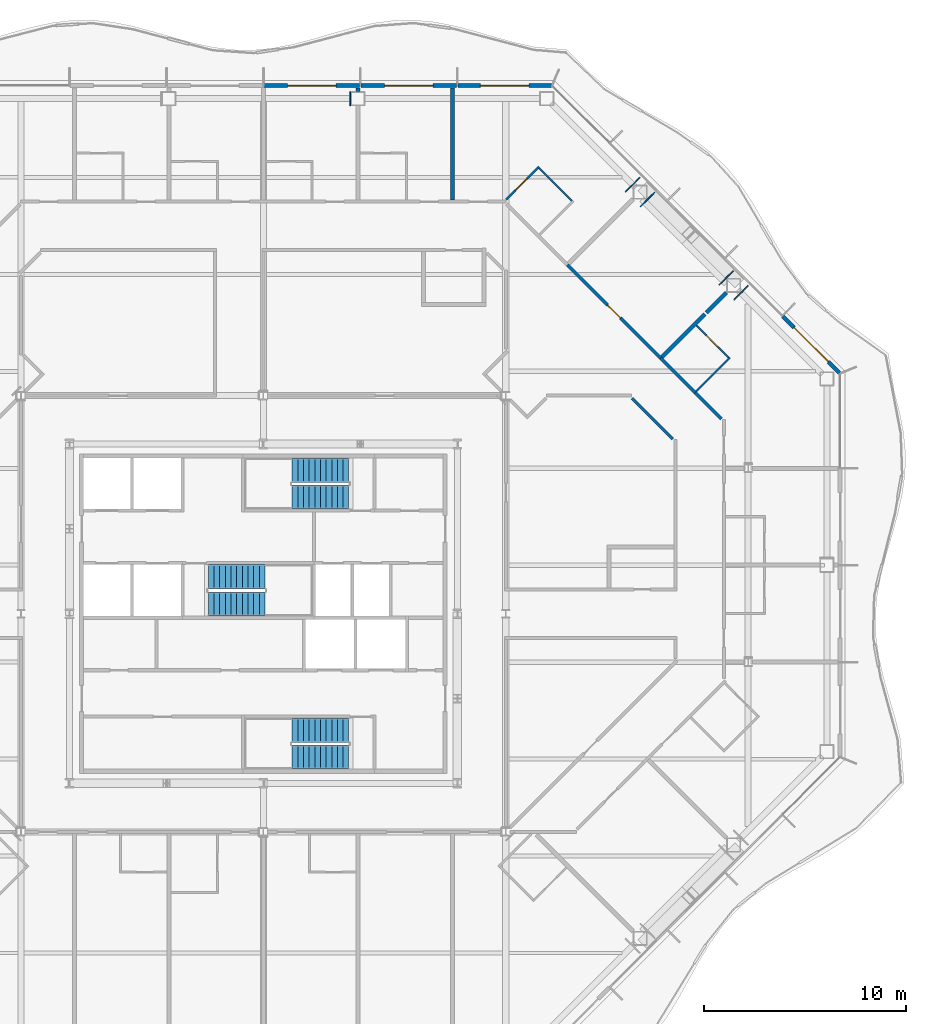
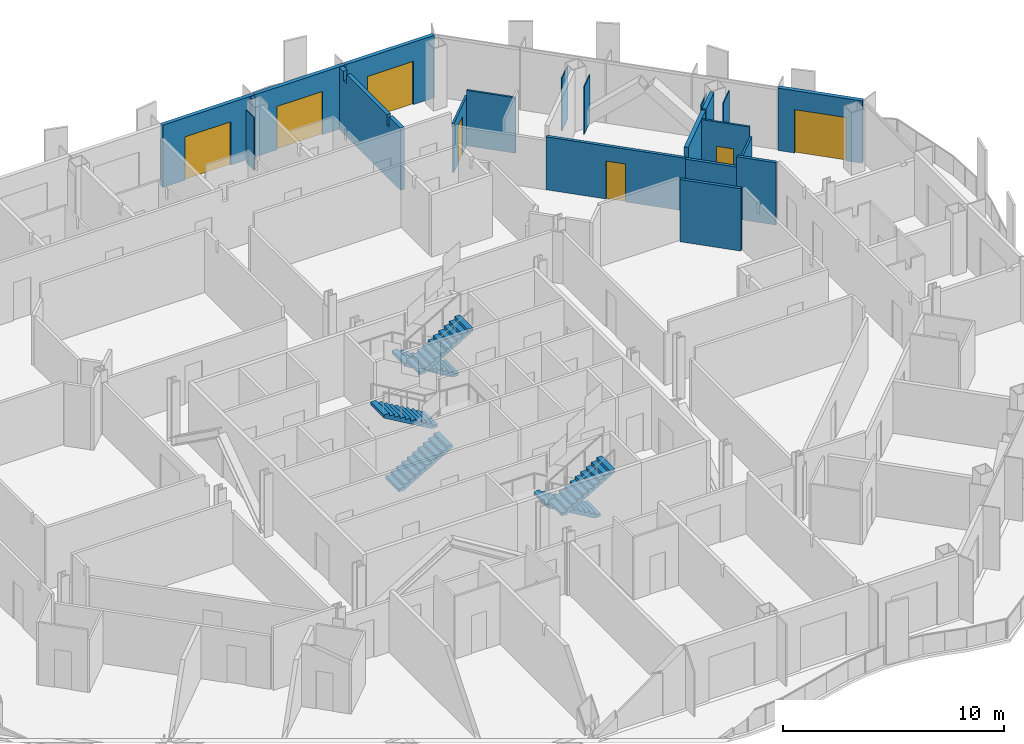
# One storey, part 14 of 21: 21 walls, 7 doors, 6 stair flights, 7 openings, 3 elements without a shape of their own.
"""IFC4 building model written with IfcOpenShell, lengths in metres."""

from ifc_helpers import new_model, si_unit, direction, frame, frame_2d, origin, place, context, subcontext, project, spatial, polyline, rectangle, outline, extrude, material, layer, layer_set, type_object, element, fill, aggregate, save


model = new_model("IFC4")

# Units and contexts
model_context = context("Model", 3, precision=1e-05, world=origin(), true_north=direction((0.0, 1.0)))
body_context = subcontext(model_context, "Body", "Model", "MODEL_VIEW")
ifc_project = project(units=[si_unit("LENGTHUNIT", "METRE"), si_unit("AREAUNIT", "SQUARE_METRE"), si_unit("VOLUMEUNIT", "CUBIC_METRE"), si_unit("PLANEANGLEUNIT", "RADIAN"), si_unit("MASSUNIT", "GRAM", prefix="KILO")], contexts=[model_context])

# Site, building, storey
site_placement = place(None, origin())
site = spatial("IfcSite", under=ifc_project, at=site_placement, CompositionType="ELEMENT")
building_placement = place(site_placement, origin())
building = spatial("IfcBuilding", under=site, at=building_placement, Name="Cairn Pilgrim Tower", CompositionType="ELEMENT")
storey_placement = place(building_placement, frame((0.0, 0.0, 139.800048828125)))
storey = spatial("IfcBuildingStorey", under=building, at=storey_placement, Name="L34", CompositionType="ELEMENT", Elevation=139.800048828125)

# Wall, opening, door
ifc_material_1 = material(Name="Bronze anodised aluminium insulated sandwich panel with mineral wool fill", Category="aluminium")
ifc_layer_1 = layer(ifc_material_1, 0.199951171875)
ifc_layer_set_1 = layer_set([ifc_layer_1], Name="BRONZE INFILL FRAME WALL 200")
wall_type_1 = type_object("IfcWallType", Name="BRONZE INFILL FRAME WALL 200", PredefinedType="NOTDEFINED", material=ifc_layer_set_1)
wall_1_placement = place(storey_placement, frame((35.7216796875, 14.32470703125, 0.0), z_axis=(0.0, 0.0, 1.0), x_axis=(-0.707106781187, 0.707106781187, 0.0)))
wall_1 = element("IfcWall", 1, at=wall_1_placement, inside=storey, type_object=wall_type_1, Name="Bronze infill frame wall IW-NE1", PredefinedType="NOTDEFINED", context=body_context, shape_type="SweptSolid", body=[
    extrude(rectangle(XDim=3.961669921875, YDim=0.199951171875, at=frame_2d((1.98095703125, 0.0))), origin(), (0.0, 0.0, 1.0), 3.449951171875),
])
opening_1_placement = place(wall_1_placement, frame((0.775390625, 0.0, 0.0)))
opening_1 = element("IfcOpeningElement", 2, at=opening_1_placement, cuts=wall_1, Name="Opening 3408B", PredefinedType="OPENING", context=body_context, shape_type="SweptSolid", body=[
    extrude(rectangle(XDim=2.39990234375, YDim=2.39990234375, at=frame_2d((1.199951171875, 1.199951171875))), frame((0.0, 0.10986328125, 0.0), z_axis=(0.0, -1.0, 0.0), x_axis=(1.0, 0.0, 0.0)), (0.0, 0.0, 1.0), 0.219970703125),
])
ifc_material_2 = material(Name="Bronze anodised aluminium frame with tinted low-E glass", Category="aluminium")
door_type_1 = type_object("IfcDoorType", Name="BALCONY SLIDING DOOR 2400x2400", OperationType="DOUBLE_DOOR_SLIDING", PredefinedType="DOOR", material=ifc_material_2)
door_1_placement = place(opening_1_placement, origin())
door_1 = element("IfcDoor", 3, at=door_1_placement, inside=storey, type_object=door_type_1, Name="Balcony sliding door 3408B", OperationType="SINGLE_SWING_LEFT", OverallHeight=2.39990234375, OverallWidth=2.39990234375, PredefinedType="DOOR", context=body_context, shape_type="SweptSolid", body=[
    extrude(rectangle(XDim=2.39990234375, YDim=2.39990234375, at=frame_2d((1.199951171875, 1.199951171875))), frame((0.0, 0.02490234375, 0.0), z_axis=(0.0, -1.0, 0.0), x_axis=(1.0, 0.0, 0.0)), (0.0, 0.0, 1.0), 0.050048828125),
])
fill(opening_1, door_1)

wall_2_placement = place(storey_placement, frame((21.45654296875, 28.550048828125, 0.0), z_axis=(0.0, 0.0, 1.0), x_axis=(-1.0, 0.0, 0.0)))
wall_2 = element("IfcWall", 4, at=wall_2_placement, inside=storey, type_object=wall_type_1, Name="Bronze infill frame wall IW-N1", PredefinedType="NOTDEFINED", context=body_context, shape_type="SweptSolid", body=[
    extrude(rectangle(XDim=4.62646484375, YDim=0.199951171875, at=frame_2d((2.313232421875, 0.0))), origin(), (0.0, 0.0, 1.0), 3.449951171875),
])
opening_2_placement = place(wall_2_placement, frame((1.1083984375, 0.0, 0.0)))
opening_2 = element("IfcOpeningElement", 5, at=opening_2_placement, cuts=wall_2, Name="Opening 3410B", PredefinedType="OPENING", context=body_context, shape_type="SweptSolid", body=[
    extrude(rectangle(XDim=2.39990234375, YDim=2.39990234375, at=frame_2d((1.199951171875, 1.199951171875))), frame((0.0, 0.10986328125, 0.0), z_axis=(0.0, -1.0, 0.0), x_axis=(1.0, 0.0, 0.0)), (0.0, 0.0, 1.0), 0.219970703125),
])
door_2_placement = place(opening_2_placement, origin())
door_2 = element("IfcDoor", 6, at=door_2_placement, inside=storey, type_object=door_type_1, Name="Balcony sliding door 3410B", OperationType="SINGLE_SWING_LEFT", OverallHeight=2.39990234375, OverallWidth=2.39990234375, PredefinedType="DOOR", context=body_context, shape_type="SweptSolid", body=[
    extrude(rectangle(XDim=2.39990234375, YDim=2.39990234375, at=frame_2d((1.199951171875, 1.199951171875))), frame((0.0, 0.02490234375, 0.0), z_axis=(0.0, -1.0, 0.0), x_axis=(1.0, 0.0, 0.0)), (0.0, 0.0, 1.0), 0.050048828125),
])
fill(opening_2, door_2)

wall_3_placement = place(storey_placement, frame((16.77001953125, 28.550048828125, 0.0), z_axis=(0.0, 0.0, 1.0), x_axis=(-1.0, 0.0, 0.0)))
wall_3 = element("IfcWall", 7, at=wall_3_placement, inside=storey, type_object=wall_type_1, Name="Bronze infill frame wall IW-N2", PredefinedType="NOTDEFINED", context=body_context, shape_type="SweptSolid", body=[
    extrude(rectangle(XDim=4.739990234375, YDim=0.199951171875, at=frame_2d((2.3701171875, 0.0))), origin(), (0.0, 0.0, 1.0), 3.449951171875),
])
opening_3_placement = place(wall_3_placement, frame((1.17041015625, 0.0, 0.0)))
opening_3 = element("IfcOpeningElement", 8, at=opening_3_placement, cuts=wall_3, Name="Opening 3411B", PredefinedType="OPENING", context=body_context, shape_type="SweptSolid", body=[
    extrude(rectangle(XDim=2.39990234375, YDim=2.39990234375, at=frame_2d((1.199951171875, 1.199951171875))), frame((0.0, 0.10986328125, 0.0), z_axis=(0.0, -1.0, 0.0), x_axis=(1.0, 0.0, 0.0)), (0.0, 0.0, 1.0), 0.219970703125),
])
door_3_placement = place(opening_3_placement, origin())
door_3 = element("IfcDoor", 9, at=door_3_placement, inside=storey, type_object=door_type_1, Name="Balcony sliding door 3411B", OperationType="SINGLE_SWING_LEFT", OverallHeight=2.39990234375, OverallWidth=2.39990234375, PredefinedType="DOOR", context=body_context, shape_type="SweptSolid", body=[
    extrude(rectangle(XDim=2.39990234375, YDim=2.39990234375, at=frame_2d((1.199951171875, 1.199951171875))), frame((0.0, 0.02490234375, 0.0), z_axis=(0.0, -1.0, 0.0), x_axis=(1.0, 0.0, 0.0)), (0.0, 0.0, 1.0), 0.050048828125),
])
fill(opening_3, door_3)

wall_4_placement = place(storey_placement, frame((11.969970703125, 28.550048828125, 0.0), z_axis=(0.0, 0.0, 1.0), x_axis=(-1.0, 0.0, 0.0)))
wall_4 = element("IfcWall", 10, at=wall_4_placement, inside=storey, type_object=wall_type_1, Name="Bronze infill frame wall IW-N3", PredefinedType="NOTDEFINED", context=body_context, shape_type="SweptSolid", body=[
    extrude(rectangle(XDim=4.739990234375, YDim=0.199951171875, at=frame_2d((2.3701171875, 0.0))), origin(), (0.0, 0.0, 1.0), 3.449951171875),
])
opening_4_placement = place(wall_4_placement, frame((1.17041015625, 0.0, 0.0)))
opening_4 = element("IfcOpeningElement", 11, at=opening_4_placement, cuts=wall_4, Name="Opening 3412B", PredefinedType="OPENING", context=body_context, shape_type="SweptSolid", body=[
    extrude(rectangle(XDim=2.39990234375, YDim=2.39990234375, at=frame_2d((1.199951171875, 1.199951171875))), frame((0.0, 0.10986328125, 0.0), z_axis=(0.0, -1.0, 0.0), x_axis=(1.0, 0.0, 0.0)), (0.0, 0.0, 1.0), 0.219970703125),
])
door_4_placement = place(opening_4_placement, origin())
door_4 = element("IfcDoor", 12, at=door_4_placement, inside=storey, type_object=door_type_1, Name="Balcony sliding door 3412B", OperationType="SINGLE_SWING_LEFT", OverallHeight=2.39990234375, OverallWidth=2.39990234375, PredefinedType="DOOR", context=body_context, shape_type="SweptSolid", body=[
    extrude(rectangle(XDim=2.39990234375, YDim=2.39990234375, at=frame_2d((1.199951171875, 1.199951171875))), frame((0.0, 0.02490234375, 0.0), z_axis=(0.0, -1.0, 0.0), x_axis=(1.0, 0.0, 0.0)), (0.0, 0.0, 1.0), 0.050048828125),
])
fill(opening_4, door_4)

# Wall
ifc_material_3 = material(Name="Gypsum partition")
ifc_layer_2 = layer(ifc_material_3, 0.10009765625)
ifc_layer_set_2 = layer_set([ifc_layer_2], Name="PARTITION 100 DRYWALL")
wall_type_2 = type_object("IfcWallType", Name="PARTITION 100 DRYWALL", PredefinedType="PARTITIONING", material=ifc_layer_set_2)
wall_5_placement = place(storey_placement, frame((28.6201171875, 13.40087890625, 0.0), z_axis=(0.0, 0.0, 1.0), x_axis=(0.707055379538, 0.707158179099, 0.0)))
element("IfcWall", 13, at=wall_5_placement, inside=storey, type_object=wall_type_2, Name="PARTITION W086", PredefinedType="PARTITIONING", context=body_context, shape_type="SweptSolid", body=[
    extrude(rectangle(XDim=2.375, YDim=0.10009765625, at=frame_2d((1.1875, 0.0))), origin(), (0.0, 0.0, 1.0), 2.8798828125),
])

# Wall, opening, door
wall_6_placement = place(storey_placement, frame((30.228515625, 15.080322265625, 0.0), z_axis=(0.0, 0.0, 1.0), x_axis=(-0.707052524, 0.70716103421, 0.0)))
wall_6 = element("IfcWall", 14, at=wall_6_placement, inside=storey, type_object=wall_type_2, Name="PARTITION W091", PredefinedType="PARTITIONING", context=body_context, shape_type="SweptSolid", body=[
    extrude(rectangle(XDim=2.25, YDim=0.10009765625, at=frame_2d((1.125, 0.0))), origin(), (0.0, 0.0, 1.0), 3.449951171875),
])
opening_5_placement = place(wall_6_placement, frame((0.75, 0.0, 0.0)))
opening_5 = element("IfcOpeningElement", 15, at=opening_5_placement, cuts=wall_6, Name="Opening 3408A", PredefinedType="OPENING", context=body_context, shape_type="SweptSolid", body=[
    extrude(rectangle(XDim=0.800048828125, YDim=2.10009765625, at=frame_2d((0.39990234375, 1.050048828125))), frame((0.0, 0.06005859375, 0.0), z_axis=(0.0, -1.0, 0.0), x_axis=(1.0, 0.0, 0.0)), (0.0, 0.0, 1.0), 0.1201171875),
])
ifc_material_4 = material(Name="Timber door leaf", Category="wood")
door_type_2 = type_object("IfcDoorType", Name="WC DOOR 800x2100", OperationType="NOTDEFINED", PredefinedType="DOOR", material=ifc_material_4)
door_5_placement = place(opening_5_placement, frame((0.800048828125, 0.0, 0.0), z_axis=(0.0, 0.0, 1.0), x_axis=(-1.0, 0.0, 0.0)))
door_5 = element("IfcDoor", 16, at=door_5_placement, inside=storey, type_object=door_type_2, Name="DOOR 3408A", OperationType="SINGLE_SWING_LEFT", OverallHeight=2.10009765625, OverallWidth=0.800048828125, PredefinedType="DOOR", context=body_context, shape_type="SweptSolid", body=[
    extrude(rectangle(XDim=0.800048828125, YDim=2.10009765625, at=frame_2d((0.39990234375, 1.050048828125))), frame((0.0, 0.02490234375, 0.0), z_axis=(0.0, -1.0, 0.0), x_axis=(1.0, 0.0, 0.0)), (0.0, 0.0, 1.0), 0.050048828125),
])
fill(opening_5, door_5)

# Wall
wall_7_placement = place(storey_placement, frame((22.4736328125, 22.83544921875, 0.0), z_axis=(0.0, 0.0, 1.0), x_axis=(-0.707106781187, 0.707106781187, 0.0)))
element("IfcWall", 17, at=wall_7_placement, inside=storey, type_object=wall_type_2, Name="PARTITION W115", PredefinedType="PARTITIONING", context=body_context, shape_type="SweptSolid", body=[
    extrude(rectangle(XDim=2.2998046875, YDim=0.10009765625, at=frame_2d((1.14990234375, 0.0))), origin(), (0.0, 0.0, 1.0), 3.070068359375),
])

# Wall, opening, door
wall_8_placement = place(storey_placement, frame((19.225341796875, 22.910400390625, 0.0), z_axis=(0.0, 0.0, 1.0), x_axis=(0.707106781187, 0.707106781187, 0.0)))
wall_8 = element("IfcWall", 18, at=wall_8_placement, inside=storey, type_object=wall_type_2, Name="PARTITION W125", PredefinedType="PARTITIONING", context=body_context, shape_type="SweptSolid", body=[
    extrude(rectangle(XDim=2.2939453125, YDim=0.10009765625, at=frame_2d((1.14697265625, 0.0))), origin(), (0.0, 0.0, 1.0), 2.72998046875),
])
opening_6_placement = place(wall_8_placement, frame((0.643798828125, 0.0, 0.0)))
opening_6 = element("IfcOpeningElement", 19, at=opening_6_placement, cuts=wall_8, Name="Opening 3410A", PredefinedType="OPENING", context=body_context, shape_type="SweptSolid", body=[
    extrude(rectangle(XDim=0.800048828125, YDim=2.10009765625, at=frame_2d((0.39990234375, 1.050048828125))), frame((0.0, 0.06005859375, 0.0), z_axis=(0.0, -1.0, 0.0), x_axis=(1.0, 0.0, 0.0)), (0.0, 0.0, 1.0), 0.1201171875),
])
door_6_placement = place(opening_6_placement, origin())
door_6 = element("IfcDoor", 20, at=door_6_placement, inside=storey, type_object=door_type_2, Name="DOOR 3410A", OperationType="SINGLE_SWING_RIGHT", OverallHeight=2.10009765625, OverallWidth=0.800048828125, PredefinedType="DOOR", context=body_context, shape_type="SweptSolid", body=[
    extrude(rectangle(XDim=0.800048828125, YDim=2.10009765625, at=frame_2d((0.39990234375, 1.050048828125))), frame((0.0, 0.02490234375, 0.0), z_axis=(0.0, -1.0, 0.0), x_axis=(1.0, 0.0, 0.0)), (0.0, 0.0, 1.0), 0.050048828125),
])
fill(opening_6, door_6)

# Walls
ifc_layer_3 = layer(ifc_material_3, 0.14990234375)
ifc_layer_set_3 = layer_set([ifc_layer_3], Name="PARTITION 150 DRYWALL EI 60")
wall_type_3 = type_object("IfcWallType", Name="PARTITION 150 DRYWALL EI 60", PredefinedType="PARTITIONING", material=ifc_layer_set_3)
wall_9_placement = place(storey_placement, frame((27.471923828125, 11.049072265625, 0.0), z_axis=(0.0, 0.0, 1.0), x_axis=(-0.707106781187, 0.707106781187, 0.0)))
element("IfcWall", 21, at=wall_9_placement, inside=storey, type_object=wall_type_3, Name="PARTITION W070", PredefinedType="PARTITIONING", context=body_context, shape_type="SweptSolid", body=[
    extrude(rectangle(XDim=2.86083984375, YDim=0.14990234375, at=frame_2d((1.430419921875, 0.0))), origin(), (0.0, 0.0, 1.0), 3.449951171875),
])
wall_10_placement = place(storey_placement, frame((29.8720703125, 12.04296875, 0.0), z_axis=(0.0, 0.0, 1.0), x_axis=(-0.707172918471, 0.707040637716, 0.0)))
element("IfcWall", 22, at=wall_10_placement, inside=storey, type_object=wall_type_3, Name="PARTITION W072", PredefinedType="PARTITIONING", context=body_context, shape_type="SweptSolid", body=[
    extrude(rectangle(XDim=1.845703125, YDim=0.14990234375, at=frame_2d((0.9228515625, 0.0))), origin(), (0.0, 0.0, 1.0), 3.449951171875),
])
wall_11_placement = place(storey_placement, frame((28.56689453125, 13.347900390625, 0.0), z_axis=(0.0, 0.0, 1.0), x_axis=(-0.707310148094, 0.706903355773, 0.0)))
element("IfcWall", 23, at=wall_11_placement, inside=storey, type_object=wall_type_3, Name="PARTITION W082", PredefinedType="PARTITIONING", context=body_context, shape_type="SweptSolid", body=[
    extrude(rectangle(XDim=2.400634765625, YDim=0.14990234375, at=frame_2d((1.2001953125, 0.0))), origin(), (0.0, 0.0, 1.0), 2.8798828125),
])

# Wall, opening, door
wall_12_placement = place(storey_placement, frame((26.868896484375, 15.044921875, 0.0), z_axis=(0.0, 0.0, 1.0), x_axis=(-0.707013447311, 0.707200102744, 0.0)))
wall_12 = element("IfcWall", 24, at=wall_12_placement, inside=storey, type_object=wall_type_3, Name="PARTITION W089", PredefinedType="PARTITIONING", context=body_context, shape_type="SweptSolid", body=[
    extrude(rectangle(XDim=6.539794921875, YDim=0.14990234375, at=frame_2d((3.27001953125, 0.0))), origin(), (0.0, 0.0, 1.0), 2.929931640625),
])
opening_7_placement = place(wall_12_placement, frame((2.820068359375, 0.0, 0.0)))
opening_7 = element("IfcOpeningElement", 25, at=opening_7_placement, cuts=wall_12, Name="Opening 3409", PredefinedType="OPENING", context=body_context, shape_type="SweptSolid", body=[
    extrude(rectangle(XDim=0.89990234375, YDim=2.10009765625, at=frame_2d((0.449951171875, 1.050048828125))), frame((0.0, 0.0849609375, 0.0), z_axis=(0.0, -1.0, 0.0), x_axis=(1.0, 0.0, 0.0)), (0.0, 0.0, 1.0), 0.169921875),
])
door_type_3 = type_object("IfcDoorType", Name="SERVICE DOOR 900x2100 FD30S", OperationType="NOTDEFINED", PredefinedType="DOOR", material=ifc_material_4)
door_7_placement = place(opening_7_placement, frame((0.89990234375, 0.0, 0.0), z_axis=(0.0, 0.0, 1.0), x_axis=(-1.0, 0.0, 0.0)))
door_7 = element("IfcDoor", 26, at=door_7_placement, inside=storey, type_object=door_type_3, Name="DOOR 3409", OperationType="SINGLE_SWING_LEFT", OverallHeight=2.10009765625, OverallWidth=0.89990234375, PredefinedType="DOOR", context=body_context, shape_type="SweptSolid", body=[
    extrude(rectangle(XDim=0.89990234375, YDim=2.10009765625, at=frame_2d((0.449951171875, 1.050048828125))), frame((0.0, 0.02490234375, 0.0), z_axis=(0.0, -1.0, 0.0), x_axis=(1.0, 0.0, 0.0)), (0.0, 0.0, 1.0), 0.050048828125),
])
fill(opening_7, door_7)

# Walls
ifc_layer_4 = layer(ifc_material_3, 0.050048828125)
ifc_layer_set_4 = layer_set([ifc_layer_4], Name="PARTITION 50 DRYWALL EI 60")
wall_type_4 = type_object("IfcWallType", Name="PARTITION 50 DRYWALL EI 60", PredefinedType="PARTITIONING", material=ifc_layer_set_4)
wall_13_placement = place(storey_placement, frame((29.758056640625, 18.6689453125, 0.0), z_axis=(0.0, 0.0, 1.0), x_axis=(0.706983473703, 0.707230067171, 0.0)))
element("IfcWall", 27, at=wall_13_placement, inside=storey, type_object=wall_type_4, Name="COLUMN CASING WC31", PredefinedType="PARTITIONING", context=body_context, shape_type="SweptSolid", body=[
    extrude(rectangle(XDim=0.989990234375, YDim=0.050048828125, at=frame_2d((0.4951171875, 0.0))), origin(), (0.0, 0.0, 1.0), 2.6298828125),
])
for number, where, z_axis, x_axis, name in (
    (28, (30.493408203125, 17.933837890625, 0.0), (0.0, 0.0, 1.0), (0.706983473703, 0.707230067171, 0.0), "COLUMN CASING WC32"),
    (29, (25.1337890625, 23.29345703125, 0.0), (0.0, 0.0, 1.0), (0.707230067171, 0.706983473703, 0.0), "COLUMN CASING WC33"),
):
    element("IfcWall", number, at=place(storey_placement, frame(where, z_axis=z_axis, x_axis=x_axis)), inside=storey, type_object=wall_type_4, Name=name, PredefinedType="PARTITIONING", context=body_context, shape_type="SweptSolid", body=[
        extrude(rectangle(XDim=0.989990234375, YDim=0.050048828125, at=frame_2d((0.4951171875, 0.0))), origin(), (0.0, 0.0, 1.0), 2.929931640625),
    ])
wall_14_placement = place(storey_placement, frame((25.869140625, 22.55810546875, 0.0), z_axis=(0.0, 0.0, 1.0), x_axis=(0.707230110177, 0.706983430682, 0.0)))
element("IfcWall", 30, at=wall_14_placement, inside=storey, type_object=wall_type_4, Name="COLUMN CASING WC34", PredefinedType="PARTITIONING", context=body_context, shape_type="SweptSolid", body=[
    extrude(rectangle(XDim=0.98974609375, YDim=0.050048828125, at=frame_2d((0.494873046875, 0.0))), origin(), (0.0, 0.0, 1.0), 2.6298828125),
])
wall_15_placement = place(storey_placement, frame((11.500732421875, 27.550048828125, 0.0), z_axis=(0.0, 0.0, 1.0), x_axis=(0.0, 1.0, 0.0)))
element("IfcWall", 31, at=wall_15_placement, inside=storey, type_object=wall_type_4, Name="COLUMN CASING WC38", PredefinedType="PARTITIONING", context=body_context, shape_type="SweptSolid", body=[
    extrude(rectangle(XDim=0.699951171875, YDim=0.050048828125, at=frame_2d((0.35009765625, 0.0))), origin(), (0.0, 0.0, 1.0), 2.929931640625),
])
ifc_layer_5 = layer(ifc_material_3, 0.199951171875)
ifc_layer_set_5 = layer_set([ifc_layer_5], Name="SHAFT WALL 200 GYPSUM EI 60")
wall_type_5 = type_object("IfcWallType", Name="SHAFT WALL 200 GYPSUM EI 60", PredefinedType="PARTITIONING", material=ifc_layer_set_5)
wall_16_placement = place(storey_placement, frame((26.922119140625, 15.097900390625, 0.0), z_axis=(0.0, 0.0, 1.0), x_axis=(0.707268147401, 0.706945378138, 0.0)))
element("IfcWall", 32, at=wall_16_placement, inside=storey, type_object=wall_type_5, Name="PARTITION W090", PredefinedType="PARTITIONING", context=body_context, shape_type="SweptSolid", body=[
    extrude(rectangle(XDim=3.025634765625, YDim=0.199951171875, at=frame_2d((1.5126953125, 0.0))), origin(), (0.0, 0.0, 1.0), 3.449951171875),
])
wall_17_placement = place(storey_placement, frame((29.132568359375, 17.307861328125, 0.0), z_axis=(0.0, 0.0, 1.0), x_axis=(0.70693298083, 0.707280538835, 0.0)))
element("IfcWall", 33, at=wall_17_placement, inside=storey, type_object=wall_type_5, Name="PARTITION W096", PredefinedType="PARTITIONING", context=body_context, shape_type="SweptSolid", body=[
    extrude(rectangle(XDim=1.40478515625, YDim=0.199951171875, at=frame_2d((0.702392578125, 0.0))), origin(), (0.0, 0.0, 1.0), 3.449951171875),
])
wall_18_placement = place(storey_placement, frame((16.552001953125, 22.875, 0.0), z_axis=(0.0, 0.0, 1.0), x_axis=(0.0, 1.0, 0.0)))
element("IfcWall", 34, at=wall_18_placement, inside=storey, type_object=wall_type_5, Name="PARTITION W124", PredefinedType="PARTITIONING", context=body_context, shape_type="SweptSolid", body=[
    extrude(outline(polyline([(0.0, 0.0), (5.544921875, 0.0), (5.544921875, 3.449951171875), (5.175048828125, 3.449951171875), (5.173095703125, 2.929931640625), (4.875, 2.929931640625), (4.873046875, 3.449951171875), (1.22998046875, 3.449951171875), (1.22802734375, 2.8798828125), (1.02001953125, 2.8798828125), (1.01806640625, 3.449951171875), (0.0, 3.449951171875), (0.0, 0.0)])), frame((0.0, 0.10009765625, 0.0), z_axis=(0.0, -1.0, 0.0), x_axis=(1.0, 0.0, 0.0)), (0.0, 0.0, 1.0), 0.199951171875),
])
wall_19_placement = place(storey_placement, frame((11.8759765625, 28.25, 0.0), z_axis=(0.0, 0.0, 1.0), x_axis=(0.0, 1.0, 0.0)))
element("IfcWall", 35, at=wall_19_placement, inside=storey, type_object=wall_type_5, Name="PARTITION W131", PredefinedType="PARTITIONING", context=body_context, shape_type="SweptSolid", body=[
    extrude(rectangle(XDim=0.169921875, YDim=0.199951171875, at=frame_2d((0.0849609375, 0.0))), origin(), (0.0, 0.0, 1.0), 3.449951171875),
])

# Stair, stair flights
ifc_material_5 = material(Name="Concrete C32/40", Category="concrete")
stair_type = type_object("IfcStairType", Name="EXIT STAIR 1200", PredefinedType="HALF_TURN_STAIR", material=ifc_material_5)
stair_1_placement = place(storey_placement, origin())
stair_1 = element("IfcStair", 36, at=stair_1_placement, inside=storey, type_object=stair_type, Name="L34 Exit Stair A", PredefinedType="HALF_TURN_STAIR")
stair_flight_type = type_object("IfcStairFlightType", Name="STAIR FLIGHT 1200", PredefinedType="STRAIGHT", material=ifc_material_5)
stair_flight_1_placement = place(storey_placement, frame((11.425048828125, -3.375, 0.0), z_axis=(0.0, 0.0, 1.0), x_axis=(-1.0, 0.0, 0.0)))
stair_flight_1 = element("IfcStairFlight", 37, at=stair_flight_1_placement, type_object=stair_flight_type, Name="ST-A flight 1", NumberOfRisers=11, NumberOfTreads=10, PredefinedType="STRAIGHT", RiserHeight=0.163636364, TreadLength=0.28, context=body_context, shape_type="SweptSolid", body=[
    extrude(outline(polyline([(0.0, 0.0), (0.0, 0.16357421875), (0.280029296875, 0.16357421875), (0.280029296875, 0.327392578125), (0.56005859375, 0.327392578125), (0.56005859375, 0.490966796875), (0.840087890625, 0.490966796875), (0.840087890625, 0.654541015625), (1.1201171875, 0.654541015625), (1.1201171875, 0.818115234375), (1.39990234375, 0.818115234375), (1.39990234375, 0.98193359375), (1.679931640625, 0.98193359375), (1.679931640625, 1.1455078125), (1.9599609375, 1.1455078125), (1.9599609375, 1.30908203125), (2.239990234375, 1.30908203125), (2.239990234375, 1.47265625), (2.52001953125, 1.47265625), (2.52001953125, 1.636474609375), (2.800048828125, 1.636474609375), (2.800048828125, 1.800048828125), (2.800048828125, 1.462646484375), (0.297119140625, 0.0), (0.0, 0.0)])), frame((0.0, 0.60009765625, 0.0), z_axis=(0.0, -1.0, 0.0), x_axis=(1.0, 0.0, 0.0)), (0.0, 0.0, 1.0), 1.199951171875),
])
stair_flight_2_placement = place(storey_placement, frame((8.625, -4.699951171875, 1.800048828125), z_axis=(0.0, 0.0, 1.0), x_axis=(1.0, 0.0, 0.0)))
stair_flight_2 = element("IfcStairFlight", 38, at=stair_flight_2_placement, type_object=stair_flight_type, Name="ST-A flight 2", NumberOfRisers=11, NumberOfTreads=10, PredefinedType="STRAIGHT", RiserHeight=0.163636364, TreadLength=0.28, context=body_context, shape_type="SweptSolid", body=[
    extrude(outline(polyline([(0.0, 0.0), (0.0, 0.16357421875), (0.280029296875, 0.16357421875), (0.280029296875, 0.327392578125), (0.56005859375, 0.327392578125), (0.56005859375, 0.490966796875), (0.840087890625, 0.490966796875), (0.840087890625, 0.654541015625), (1.1201171875, 0.654541015625), (1.1201171875, 0.818115234375), (1.39990234375, 0.818115234375), (1.39990234375, 0.98193359375), (1.679931640625, 0.98193359375), (1.679931640625, 1.1455078125), (1.9599609375, 1.1455078125), (1.9599609375, 1.30908203125), (2.239990234375, 1.30908203125), (2.239990234375, 1.47265625), (2.52001953125, 1.47265625), (2.52001953125, 1.636474609375), (2.800048828125, 1.636474609375), (2.800048828125, 1.800048828125), (2.800048828125, 1.462646484375), (0.297119140625, 0.0), (0.0, 0.0)])), frame((0.0, 0.60009765625, 0.0), z_axis=(0.0, -1.0, 0.0), x_axis=(1.0, 0.0, 0.0)), (0.0, 0.0, 1.0), 1.199951171875),
])
aggregate(stair_1, [stair_flight_1, stair_flight_2])

stair_2_placement = place(storey_placement, origin())
stair_2 = element("IfcStair", 39, at=stair_2_placement, inside=storey, type_object=stair_type, Name="L34 Exit Stair B", PredefinedType="HALF_TURN_STAIR")
stair_flight_3_placement = place(storey_placement, frame((4.47509765625, 2.875, 0.0), z_axis=(0.0, 0.0, 1.0), x_axis=(1.0, 0.0, 0.0)))
stair_flight_3 = element("IfcStairFlight", 40, at=stair_flight_3_placement, type_object=stair_flight_type, Name="ST-B flight 1", NumberOfRisers=11, NumberOfTreads=10, PredefinedType="STRAIGHT", RiserHeight=0.163636364, TreadLength=0.28, context=body_context, shape_type="SweptSolid", body=[
    extrude(outline(polyline([(0.0, 0.0), (0.0, 0.16357421875), (0.280029296875, 0.16357421875), (0.280029296875, 0.327392578125), (0.56005859375, 0.327392578125), (0.56005859375, 0.490966796875), (0.840087890625, 0.490966796875), (0.840087890625, 0.654541015625), (1.1201171875, 0.654541015625), (1.1201171875, 0.818115234375), (1.39990234375, 0.818115234375), (1.39990234375, 0.98193359375), (1.679931640625, 0.98193359375), (1.679931640625, 1.1455078125), (1.9599609375, 1.1455078125), (1.9599609375, 1.30908203125), (2.239990234375, 1.30908203125), (2.239990234375, 1.47265625), (2.52001953125, 1.47265625), (2.52001953125, 1.636474609375), (2.800048828125, 1.636474609375), (2.800048828125, 1.800048828125), (2.800048828125, 1.462646484375), (0.297119140625, 0.0), (0.0, 0.0)])), frame((0.0, 0.60009765625, 0.0), z_axis=(0.0, -1.0, 0.0), x_axis=(1.0, 0.0, 0.0)), (0.0, 0.0, 1.0), 1.199951171875),
])
stair_flight_4_placement = place(storey_placement, frame((7.27490234375, 4.22509765625, 1.800048828125), z_axis=(0.0, 0.0, 1.0), x_axis=(-1.0, 0.0, 0.0)))
stair_flight_4 = element("IfcStairFlight", 41, at=stair_flight_4_placement, type_object=stair_flight_type, Name="ST-B flight 2", NumberOfRisers=11, NumberOfTreads=10, PredefinedType="STRAIGHT", RiserHeight=0.163636364, TreadLength=0.28, context=body_context, shape_type="SweptSolid", body=[
    extrude(outline(polyline([(0.0, 0.0), (0.0, 0.16357421875), (0.280029296875, 0.16357421875), (0.280029296875, 0.327392578125), (0.56005859375, 0.327392578125), (0.56005859375, 0.490966796875), (0.840087890625, 0.490966796875), (0.840087890625, 0.654541015625), (1.1201171875, 0.654541015625), (1.1201171875, 0.818115234375), (1.39990234375, 0.818115234375), (1.39990234375, 0.98193359375), (1.679931640625, 0.98193359375), (1.679931640625, 1.1455078125), (1.9599609375, 1.1455078125), (1.9599609375, 1.30908203125), (2.239990234375, 1.30908203125), (2.239990234375, 1.47265625), (2.52001953125, 1.47265625), (2.52001953125, 1.636474609375), (2.800048828125, 1.636474609375), (2.800048828125, 1.800048828125), (2.800048828125, 1.462646484375), (0.297119140625, 0.0), (0.0, 0.0)])), frame((0.0, 0.60009765625, 0.0), z_axis=(0.0, -1.0, 0.0), x_axis=(1.0, 0.0, 0.0)), (0.0, 0.0, 1.0), 1.199951171875),
])
aggregate(stair_2, [stair_flight_3, stair_flight_4])

stair_3_placement = place(storey_placement, origin())
stair_3 = element("IfcStair", 42, at=stair_3_placement, inside=storey, type_object=stair_type, Name="L34 Exit Stair C", PredefinedType="HALF_TURN_STAIR")
stair_flight_5_placement = place(storey_placement, frame((11.425048828125, 9.5, 0.0), z_axis=(0.0, 0.0, 1.0), x_axis=(-1.0, 0.0, 0.0)))
stair_flight_5 = element("IfcStairFlight", 43, at=stair_flight_5_placement, type_object=stair_flight_type, Name="ST-C flight 1", NumberOfRisers=11, NumberOfTreads=10, PredefinedType="STRAIGHT", RiserHeight=0.163636364, TreadLength=0.28, context=body_context, shape_type="SweptSolid", body=[
    extrude(outline(polyline([(0.0, 0.0), (0.0, 0.16357421875), (0.280029296875, 0.16357421875), (0.280029296875, 0.327392578125), (0.56005859375, 0.327392578125), (0.56005859375, 0.490966796875), (0.840087890625, 0.490966796875), (0.840087890625, 0.654541015625), (1.1201171875, 0.654541015625), (1.1201171875, 0.818115234375), (1.39990234375, 0.818115234375), (1.39990234375, 0.98193359375), (1.679931640625, 0.98193359375), (1.679931640625, 1.1455078125), (1.9599609375, 1.1455078125), (1.9599609375, 1.30908203125), (2.239990234375, 1.30908203125), (2.239990234375, 1.47265625), (2.52001953125, 1.47265625), (2.52001953125, 1.636474609375), (2.800048828125, 1.636474609375), (2.800048828125, 1.800048828125), (2.800048828125, 1.462646484375), (0.297119140625, 0.0), (0.0, 0.0)])), frame((0.0, 0.60009765625, 0.0), z_axis=(0.0, -1.0, 0.0), x_axis=(1.0, 0.0, 0.0)), (0.0, 0.0, 1.0), 1.199951171875),
])
stair_flight_6_placement = place(storey_placement, frame((8.625, 8.175048828125, 1.800048828125), z_axis=(0.0, 0.0, 1.0), x_axis=(1.0, 0.0, 0.0)))
stair_flight_6 = element("IfcStairFlight", 44, at=stair_flight_6_placement, type_object=stair_flight_type, Name="ST-C flight 2", NumberOfRisers=11, NumberOfTreads=10, PredefinedType="STRAIGHT", RiserHeight=0.163636364, TreadLength=0.28, context=body_context, shape_type="SweptSolid", body=[
    extrude(outline(polyline([(0.0, 0.0), (0.0, 0.16357421875), (0.280029296875, 0.16357421875), (0.280029296875, 0.327392578125), (0.56005859375, 0.327392578125), (0.56005859375, 0.490966796875), (0.840087890625, 0.490966796875), (0.840087890625, 0.654541015625), (1.1201171875, 0.654541015625), (1.1201171875, 0.818115234375), (1.39990234375, 0.818115234375), (1.39990234375, 0.98193359375), (1.679931640625, 0.98193359375), (1.679931640625, 1.1455078125), (1.9599609375, 1.1455078125), (1.9599609375, 1.30908203125), (2.239990234375, 1.30908203125), (2.239990234375, 1.47265625), (2.52001953125, 1.47265625), (2.52001953125, 1.636474609375), (2.800048828125, 1.636474609375), (2.800048828125, 1.800048828125), (2.800048828125, 1.462646484375), (0.297119140625, 0.0), (0.0, 0.0)])), frame((0.0, 0.60009765625, 0.0), z_axis=(0.0, -1.0, 0.0), x_axis=(1.0, 0.0, 0.0)), (0.0, 0.0, 1.0), 1.199951171875),
])
aggregate(stair_3, [stair_flight_5, stair_flight_6])

save(model, "model.ifc")
